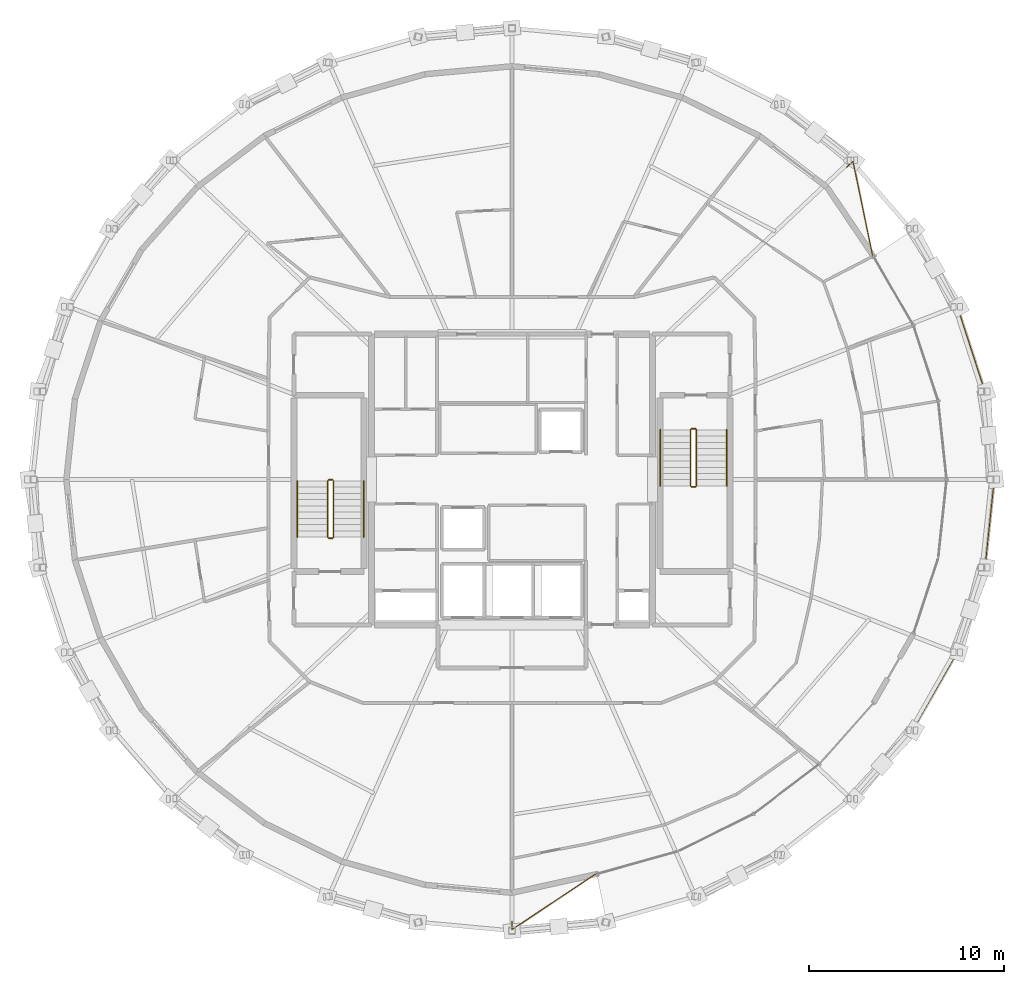
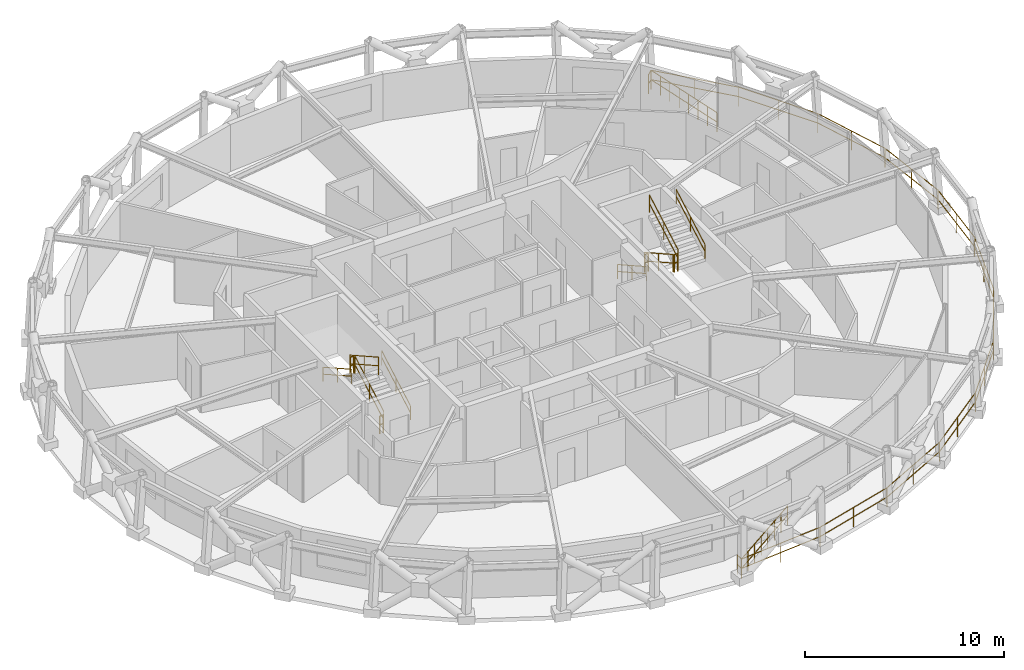
# One storey, part 17 of 17: 15 railings.
"""IFC4 building model written with IfcOpenShell, lengths in metres."""

from ifc_helpers import new_model, si_unit, direction, frame, origin, origin_2d, place, context, subcontext, project, spatial, circle, extrude, material, type_object, element, save


model = new_model("IFC4")

# Units and contexts
model_context = context("Model", 3, precision=1e-05, world=origin(), true_north=direction((0.0, 1.0)))
body_context = subcontext(model_context, "Body", "Model", "MODEL_VIEW")
ifc_project = project(units=[si_unit("LENGTHUNIT", "METRE"), si_unit("AREAUNIT", "SQUARE_METRE"), si_unit("VOLUMEUNIT", "CUBIC_METRE"), si_unit("PLANEANGLEUNIT", "RADIAN"), si_unit("MASSUNIT", "GRAM", prefix="KILO")], contexts=[model_context])

# Site, building, storey
site_placement = place(None, origin())
site = spatial("IfcSite", under=ifc_project, at=site_placement, CompositionType="ELEMENT")
building_placement = place(site_placement, origin())
building = spatial("IfcBuilding", under=site, at=building_placement, Name="Veldorina Hangang Commons", CompositionType="ELEMENT")
storey_placement = place(building_placement, frame((0.0, 0.0, 225.60009765625)))
storey = spatial("IfcBuildingStorey", under=building, at=storey_placement, Name="L58", CompositionType="ELEMENT", Elevation=225.60009765625)

# Railings
ifc_material_1 = material(Name="Glass Laminated Safety Balustrade", Category="glass")
railing_type_1 = type_object("IfcRailingType", Name="RL-BAL-LOGGIA", PredefinedType="BALUSTRADE", material=ifc_material_1)
railing_1_placement = place(storey_placement, frame((32.0, 1.357666015625, 0.0)))
element("IfcRailing", 1, at=railing_1_placement, inside=storey, type_object=railing_type_1, Name="L58 sky-garden loggia end balustrade A", PredefinedType="BALUSTRADE", context=body_context, shape_type="SweptSolid", body=[
    extrude(circle(Radius=0.02392578125, at=origin_2d()), frame((0.0, 0.0, 1.17578125), z_axis=(0.0, -1.0, 0.0), x_axis=(1.0, 0.0, 0.0)), (0.0, 0.0, 1.0), 0.420166015625),
    extrude(circle(Radius=0.02392578125, at=origin_2d()), frame((0.0, 0.0, 0.60009765625), z_axis=(0.0, -1.0, 0.0), x_axis=(1.0, 0.0, 0.0)), (0.0, 0.0, 1.0), 0.420166015625),
    extrude(circle(Radius=0.02392578125, at=origin_2d()), frame((0.0, -0.420166015625, 1.17578125), z_axis=(0.833533891157, 0.552468326958, 0.0), x_axis=(-0.552468326958, 0.833533891157, 0.0)), (0.0, 0.0, 1.0), 5.204833984375),
    extrude(circle(Radius=0.02392578125, at=origin_2d()), frame((0.0, -0.420166015625, 0.60009765625), z_axis=(0.833533891157, 0.552468326958, 0.0), x_axis=(-0.552468326958, 0.833533891157, 0.0)), (0.0, 0.0, 1.0), 5.204833984375),
    extrude(circle(Radius=0.02099609375, at=origin_2d()), origin(), (0.0, 0.0, 1.0), 1.15185546875),
    extrude(circle(Radius=0.02099609375, at=origin_2d()), frame((0.0, -0.420166015625, 0.0)), (0.0, 0.0, 1.0), 1.15185546875),
    extrude(circle(Radius=0.02099609375, at=origin_2d()), frame((0.619873046875, -0.00927734375, 0.0)), (0.0, 0.0, 1.0), 1.15185546875),
    extrude(circle(Radius=0.02099609375, at=origin_2d()), frame((1.239501953125, 0.4013671875, 0.0)), (0.0, 0.0, 1.0), 1.15185546875),
    extrude(circle(Radius=0.02099609375, at=origin_2d()), frame((1.859375, 0.812255859375, 0.0)), (0.0, 0.0, 1.0), 1.15185546875),
    extrude(circle(Radius=0.02099609375, at=origin_2d()), frame((2.47900390625, 1.222900390625, 0.0)), (0.0, 0.0, 1.0), 1.15185546875),
    extrude(circle(Radius=0.02099609375, at=origin_2d()), frame((3.098876953125, 1.6337890625, 0.0)), (0.0, 0.0, 1.0), 1.15185546875),
    extrude(circle(Radius=0.02099609375, at=origin_2d()), frame((3.718505859375, 2.04443359375, 0.0)), (0.0, 0.0, 1.0), 1.15185546875),
    extrude(circle(Radius=0.02099609375, at=origin_2d()), frame((4.33837890625, 2.455322265625, 0.0)), (0.0, 0.0, 1.0), 1.15185546875),
])
railing_2_placement = place(storey_placement, frame((49.171142578125, 40.02294921875, 0.0)))
element("IfcRailing", 2, at=railing_2_placement, inside=storey, type_object=railing_type_1, Name="L58 sky-garden loggia end balustrade B", PredefinedType="BALUSTRADE", context=body_context, shape_type="SweptSolid", body=[
    extrude(circle(Radius=0.02392578125, at=origin_2d()), frame((0.0, 0.0, 1.17578125), z_axis=(0.731093918758, 0.682276836742, 0.0), x_axis=(-0.682276836742, 0.731093918758, 0.0)), (0.0, 0.0, 1.0), 0.420166015625),
    extrude(circle(Radius=0.02392578125, at=origin_2d()), frame((0.0, 0.0, 0.60009765625), z_axis=(0.731093918758, 0.682276836742, 0.0), x_axis=(-0.682276836742, 0.731093918758, 0.0)), (0.0, 0.0, 1.0), 0.420166015625),
    extrude(circle(Radius=0.02392578125, at=origin_2d()), frame((0.30712890625, 0.28662109375, 1.17578125), z_axis=(0.203599721514, -0.979054213718, 0.0), x_axis=(0.979054213718, 0.203599721514, 0.0)), (0.0, 0.0, 1.0), 4.9775390625),
    extrude(circle(Radius=0.02392578125, at=origin_2d()), frame((0.30712890625, 0.28662109375, 0.60009765625), z_axis=(0.203599721514, -0.979054213718, 0.0), x_axis=(0.979054213718, 0.203599721514, 0.0)), (0.0, 0.0, 1.0), 4.9775390625),
    extrude(circle(Radius=0.02099609375, at=origin_2d()), origin(), (0.0, 0.0, 1.0), 1.15185546875),
    extrude(circle(Radius=0.02099609375, at=origin_2d()), frame((0.30712890625, 0.28662109375, 0.0)), (0.0, 0.0, 1.0), 1.15185546875),
    extrude(circle(Radius=0.02099609375, at=origin_2d()), frame((0.451904296875, -0.40966796875, 0.0)), (0.0, 0.0, 1.0), 1.15185546875),
    extrude(circle(Radius=0.02099609375, at=origin_2d()), frame((0.5966796875, -1.105712890625, 0.0)), (0.0, 0.0, 1.0), 1.15185546875),
    extrude(circle(Radius=0.02099609375, at=origin_2d()), frame((0.741455078125, -1.802001953125, 0.0)), (0.0, 0.0, 1.0), 1.15185546875),
    extrude(circle(Radius=0.02099609375, at=origin_2d()), frame((0.88623046875, -2.498046875, 0.0)), (0.0, 0.0, 1.0), 1.15185546875),
    extrude(circle(Radius=0.02099609375, at=origin_2d()), frame((1.031005859375, -3.1943359375, 0.0)), (0.0, 0.0, 1.0), 1.15185546875),
    extrude(circle(Radius=0.02099609375, at=origin_2d()), frame((1.17578125, -3.890380859375, 0.0)), (0.0, 0.0, 1.0), 1.15185546875),
    extrude(circle(Radius=0.02099609375, at=origin_2d()), frame((1.320556640625, -4.586669921875, 0.0)), (0.0, 0.0, 1.0), 1.15185546875),
])
railing_3_placement = place(storey_placement, frame((32.0, 0.9375, 0.0)))
element("IfcRailing", 3, at=railing_3_placement, inside=storey, type_object=railing_type_1, Name="L58 sky-garden loggia outer balustrade", PredefinedType="BALUSTRADE", context=body_context, shape_type="SweptSolid", body=[
    extrude(circle(Radius=0.02392578125, at=origin_2d()), frame((0.0, 0.0, 1.17578125), z_axis=(0.99580387112, 0.091513115245, 0.0), x_axis=(-0.091513115245, 0.99580387112, 0.0)), (0.0, 0.0, 1.0), 4.842041015625),
    extrude(circle(Radius=0.02392578125, at=origin_2d()), frame((0.0, 0.0, 0.60009765625), z_axis=(0.99580387112, 0.091513115245, 0.0), x_axis=(-0.091513115245, 0.99580387112, 0.0)), (0.0, 0.0, 1.0), 4.842041015625),
    extrude(circle(Radius=0.02392578125, at=origin_2d()), frame((4.82177734375, 0.443115234375, 1.17578125), z_axis=(0.96223009002, 0.272237495323, 0.0), x_axis=(-0.272237495323, 0.96223009002, 0.0)), (0.0, 0.0, 1.0), 4.818359375),
    extrude(circle(Radius=0.02392578125, at=origin_2d()), frame((4.82177734375, 0.443115234375, 0.60009765625), z_axis=(0.96223009002, 0.272237495323, 0.0), x_axis=(-0.272237495323, 0.96223009002, 0.0)), (0.0, 0.0, 1.0), 4.818359375),
    extrude(circle(Radius=0.02392578125, at=origin_2d()), frame((9.458251953125, 1.7548828125, 1.17578125), z_axis=(0.894968474618, 0.446129386434, 0.0), x_axis=(-0.446129386434, 0.894968474618, 0.0)), (0.0, 0.0, 1.0), 4.775146484375),
    extrude(circle(Radius=0.02392578125, at=origin_2d()), frame((9.458251953125, 1.7548828125, 0.60009765625), z_axis=(0.894968474618, 0.446129386434, 0.0), x_axis=(-0.446129386434, 0.894968474618, 0.0)), (0.0, 0.0, 1.0), 4.775146484375),
    extrude(circle(Radius=0.02392578125, at=origin_2d()), frame((13.73193359375, 3.88525390625, 1.17578125), z_axis=(0.794068385108, 0.607828429552, 0.0), x_axis=(-0.607828429552, 0.794068385108, 0.0)), (0.0, 0.0, 1.0), 4.718017578125),
    extrude(circle(Radius=0.02392578125, at=origin_2d()), frame((13.73193359375, 3.88525390625, 0.60009765625), z_axis=(0.794068385108, 0.607828429552, 0.0), x_axis=(-0.607828429552, 0.794068385108, 0.0)), (0.0, 0.0, 1.0), 4.718017578125),
    extrude(circle(Radius=0.02392578125, at=origin_2d()), frame((17.478271484375, 6.7529296875, 1.17578125), z_axis=(0.660559314172, 0.750773862399, 0.0), x_axis=(-0.750773862399, 0.660559314172, 0.0)), (0.0, 0.0, 1.0), 4.65478515625),
    extrude(circle(Radius=0.02392578125, at=origin_2d()), frame((17.478271484375, 6.7529296875, 0.60009765625), z_axis=(0.660559314172, 0.750773862399, 0.0), x_axis=(-0.750773862399, 0.660559314172, 0.0)), (0.0, 0.0, 1.0), 4.65478515625),
    extrude(circle(Radius=0.02392578125, at=origin_2d()), frame((20.552978515625, 10.24755859375, 1.17578125), z_axis=(0.497214056896, 0.867627905052, 0.0), x_axis=(-0.867627905052, 0.497214056896, 0.0)), (0.0, 0.0, 1.0), 4.595947265625),
    extrude(circle(Radius=0.02392578125, at=origin_2d()), frame((20.552978515625, 10.24755859375, 0.60009765625), z_axis=(0.497214056896, 0.867627905052, 0.0), x_axis=(-0.867627905052, 0.497214056896, 0.0)), (0.0, 0.0, 1.0), 4.595947265625),
    extrude(circle(Radius=0.02392578125, at=origin_2d()), frame((22.838134765625, 14.235107421875, 1.17578125), z_axis=(0.309265623502, 0.950975695862, 0.0), x_axis=(-0.950975695862, 0.309265623502, 0.0)), (0.0, 0.0, 1.0), 4.55029296875),
    extrude(circle(Radius=0.02392578125, at=origin_2d()), frame((22.838134765625, 14.235107421875, 0.60009765625), z_axis=(0.309265623502, 0.950975695862, 0.0), x_axis=(-0.950975695862, 0.309265623502, 0.0)), (0.0, 0.0, 1.0), 4.55029296875),
    extrude(circle(Radius=0.02392578125, at=origin_2d()), frame((24.245361328125, 18.562255859375, 1.17578125), z_axis=(0.105041441707, 0.994467845395, 0.0), x_axis=(-0.994467845395, 0.105041441707, 0.0)), (0.0, 0.0, 1.0), 4.525390625),
    extrude(circle(Radius=0.02392578125, at=origin_2d()), frame((24.245361328125, 18.562255859375, 0.60009765625), z_axis=(0.105041441707, 0.994467845395, 0.0), x_axis=(-0.994467845395, 0.105041441707, 0.0)), (0.0, 0.0, 1.0), 4.525390625),
    extrude(circle(Radius=0.02392578125, at=origin_2d()), frame((24.720703125, 23.0625, 1.17578125), z_axis=(-0.105041441707, 0.994467845395, 0.0), x_axis=(-0.994467845395, -0.105041441707, 0.0)), (0.0, 0.0, 1.0), 4.525390625),
    extrude(circle(Radius=0.02392578125, at=origin_2d()), frame((24.720703125, 23.0625, 0.60009765625), z_axis=(-0.105041441707, 0.994467845395, 0.0), x_axis=(-0.994467845395, -0.105041441707, 0.0)), (0.0, 0.0, 1.0), 4.525390625),
    extrude(circle(Radius=0.02392578125, at=origin_2d()), frame((24.245361328125, 27.562744140625, 1.17578125), z_axis=(-0.309265623502, 0.950975695862, 0.0), x_axis=(-0.950975695862, -0.309265623502, 0.0)), (0.0, 0.0, 1.0), 4.55029296875),
    extrude(circle(Radius=0.02392578125, at=origin_2d()), frame((24.245361328125, 27.562744140625, 0.60009765625), z_axis=(-0.309265623502, 0.950975695862, 0.0), x_axis=(-0.950975695862, -0.309265623502, 0.0)), (0.0, 0.0, 1.0), 4.55029296875),
    extrude(circle(Radius=0.02392578125, at=origin_2d()), frame((22.838134765625, 31.889892578125, 1.17578125), z_axis=(-0.497214056896, 0.867627905052, 0.0), x_axis=(-0.867627905052, -0.497214056896, 0.0)), (0.0, 0.0, 1.0), 4.595947265625),
    extrude(circle(Radius=0.02392578125, at=origin_2d()), frame((22.838134765625, 31.889892578125, 0.60009765625), z_axis=(-0.497214056896, 0.867627905052, 0.0), x_axis=(-0.867627905052, -0.497214056896, 0.0)), (0.0, 0.0, 1.0), 4.595947265625),
    extrude(circle(Radius=0.02392578125, at=origin_2d()), frame((20.552978515625, 35.87744140625, 1.17578125), z_axis=(-0.660559314172, 0.750773862399, 0.0), x_axis=(-0.750773862399, -0.660559314172, 0.0)), (0.0, 0.0, 1.0), 4.65478515625),
    extrude(circle(Radius=0.02392578125, at=origin_2d()), frame((20.552978515625, 35.87744140625, 0.60009765625), z_axis=(-0.660559314172, 0.750773862399, 0.0), x_axis=(-0.750773862399, -0.660559314172, 0.0)), (0.0, 0.0, 1.0), 4.65478515625),
    extrude(circle(Radius=0.02099609375, at=origin_2d()), origin(), (0.0, 0.0, 1.0), 1.15185546875),
    extrude(circle(Radius=0.02099609375, at=origin_2d()), frame((2.410888671875, 0.2216796875, 0.0)), (0.0, 0.0, 1.0), 1.15185546875),
    extrude(circle(Radius=0.02099609375, at=origin_2d()), frame((4.82177734375, 0.443115234375, 0.0)), (0.0, 0.0, 1.0), 1.15185546875),
    extrude(circle(Radius=0.02099609375, at=origin_2d()), frame((7.14013671875, 1.09912109375, 0.0)), (0.0, 0.0, 1.0), 1.15185546875),
    extrude(circle(Radius=0.02099609375, at=origin_2d()), frame((9.458251953125, 1.7548828125, 0.0)), (0.0, 0.0, 1.0), 1.15185546875),
    extrude(circle(Radius=0.02099609375, at=origin_2d()), frame((11.59521484375, 2.820068359375, 0.0)), (0.0, 0.0, 1.0), 1.15185546875),
    extrude(circle(Radius=0.02099609375, at=origin_2d()), frame((13.73193359375, 3.88525390625, 0.0)), (0.0, 0.0, 1.0), 1.15185546875),
    extrude(circle(Radius=0.02099609375, at=origin_2d()), frame((15.60498046875, 5.319091796875, 0.0)), (0.0, 0.0, 1.0), 1.15185546875),
    extrude(circle(Radius=0.02099609375, at=origin_2d()), frame((17.478271484375, 6.7529296875, 0.0)), (0.0, 0.0, 1.0), 1.15185546875),
    extrude(circle(Radius=0.02099609375, at=origin_2d()), frame((19.015625, 8.500244140625, 0.0)), (0.0, 0.0, 1.0), 1.15185546875),
    extrude(circle(Radius=0.02099609375, at=origin_2d()), frame((20.552978515625, 10.24755859375, 0.0)), (0.0, 0.0, 1.0), 1.15185546875),
    extrude(circle(Radius=0.02099609375, at=origin_2d()), frame((21.695556640625, 12.2412109375, 0.0)), (0.0, 0.0, 1.0), 1.15185546875),
    extrude(circle(Radius=0.02099609375, at=origin_2d()), frame((22.838134765625, 14.235107421875, 0.0)), (0.0, 0.0, 1.0), 1.15185546875),
    extrude(circle(Radius=0.02099609375, at=origin_2d()), frame((23.541748046875, 16.398681640625, 0.0)), (0.0, 0.0, 1.0), 1.15185546875),
    extrude(circle(Radius=0.02099609375, at=origin_2d()), frame((24.245361328125, 18.562255859375, 0.0)), (0.0, 0.0, 1.0), 1.15185546875),
    extrude(circle(Radius=0.02099609375, at=origin_2d()), frame((24.48291015625, 20.8125, 0.0)), (0.0, 0.0, 1.0), 1.15185546875),
    extrude(circle(Radius=0.02099609375, at=origin_2d()), frame((24.720703125, 23.0625, 0.0)), (0.0, 0.0, 1.0), 1.15185546875),
    extrude(circle(Radius=0.02099609375, at=origin_2d()), frame((24.48291015625, 25.3125, 0.0)), (0.0, 0.0, 1.0), 1.15185546875),
    extrude(circle(Radius=0.02099609375, at=origin_2d()), frame((24.245361328125, 27.562744140625, 0.0)), (0.0, 0.0, 1.0), 1.15185546875),
    extrude(circle(Radius=0.02099609375, at=origin_2d()), frame((23.541748046875, 29.726318359375, 0.0)), (0.0, 0.0, 1.0), 1.15185546875),
    extrude(circle(Radius=0.02099609375, at=origin_2d()), frame((22.838134765625, 31.889892578125, 0.0)), (0.0, 0.0, 1.0), 1.15185546875),
    extrude(circle(Radius=0.02099609375, at=origin_2d()), frame((21.695556640625, 33.8837890625, 0.0)), (0.0, 0.0, 1.0), 1.15185546875),
    extrude(circle(Radius=0.02099609375, at=origin_2d()), frame((20.552978515625, 35.87744140625, 0.0)), (0.0, 0.0, 1.0), 1.15185546875),
    extrude(circle(Radius=0.02099609375, at=origin_2d()), frame((19.015625, 37.624755859375, 0.0)), (0.0, 0.0, 1.0), 1.15185546875),
    extrude(circle(Radius=0.02099609375, at=origin_2d()), frame((17.478271484375, 39.3720703125, 0.0)), (0.0, 0.0, 1.0), 1.15185546875),
])
ifc_material_2 = material(Name="Steel Painted Balustrade", Category="steel")
railing_type_2 = type_object("IfcRailingType", Name="RL-GRD-STAIR", PredefinedType="GUARDRAIL", material=ifc_material_2)
railing_4_placement = place(storey_placement, frame((22.85009765625, 21.050048828125, 0.179931640625)))
element("IfcRailing", 4, at=railing_4_placement, inside=storey, type_object=railing_type_2, Name="L58 ST-1 stair guard 1", PredefinedType="GUARDRAIL", context=body_context, shape_type="SweptSolid", body=[
    extrude(circle(Radius=0.02392578125, at=origin_2d()), frame((0.0, 0.0, 1.076171875), z_axis=(0.0, 0.871583430097, 0.490247207417), x_axis=(-1.0, 0.0, 0.0)), (0.0, 0.0, 1.0), 3.30419921875),
    extrude(circle(Radius=0.02392578125, at=origin_2d()), frame((0.0, 0.0, 0.550048828125), z_axis=(0.0, 0.871583430097, 0.490247207417), x_axis=(-1.0, 0.0, 0.0)), (0.0, 0.0, 1.0), 3.30419921875),
    extrude(circle(Radius=0.02099609375, at=origin_2d()), origin(), (0.0, 0.0, 1.0), 1.052001953125),
    extrude(circle(Radius=0.02099609375, at=origin_2d()), frame((0.0, 1.43994140625, 0.81005859375)), (0.0, 0.0, 1.0), 1.052001953125),
    extrude(circle(Radius=0.02099609375, at=origin_2d()), frame((0.0, 2.8798828125, 1.619873046875)), (0.0, 0.0, 1.0), 1.052001953125),
])
railing_5_placement = place(storey_placement, frame((22.800048828125, 23.97998046875, 1.7998046875)))
element("IfcRailing", 5, at=railing_5_placement, inside=storey, type_object=railing_type_2, Name="L58 ST-1 stair guard 2", PredefinedType="GUARDRAIL", context=body_context, shape_type="SweptSolid", body=[
    extrude(circle(Radius=0.02392578125, at=origin_2d()), frame((0.0, 0.0, 1.076171875), z_axis=(-1.0, 0.0, 0.0), x_axis=(0.0, -1.0, 0.0)), (0.0, 0.0, 1.0), 0.199951171875),
    extrude(circle(Radius=0.02392578125, at=origin_2d()), frame((0.0, 0.0, 0.550048828125), z_axis=(-1.0, 0.0, 0.0), x_axis=(0.0, -1.0, 0.0)), (0.0, 0.0, 1.0), 0.199951171875),
    extrude(circle(Radius=0.02099609375, at=origin_2d()), origin(), (0.0, 0.0, 1.0), 1.052001953125),
    extrude(circle(Radius=0.02099609375, at=origin_2d()), frame((-0.199951171875, 0.0, 0.0)), (0.0, 0.0, 1.0), 1.052001953125),
])
railing_6_placement = place(storey_placement, frame((22.550048828125, 23.929931640625, 1.97998046875)))
element("IfcRailing", 6, at=railing_6_placement, inside=storey, type_object=railing_type_2, Name="L58 ST-1 stair guard 3", PredefinedType="GUARDRAIL", context=body_context, shape_type="SweptSolid", body=[
    extrude(circle(Radius=0.02392578125, at=origin_2d()), frame((0.0, 0.0, 1.076171875), z_axis=(0.0, -0.871583430097, 0.490247207417), x_axis=(1.0, 0.0, 0.0)), (0.0, 0.0, 1.0), 3.30419921875),
    extrude(circle(Radius=0.02392578125, at=origin_2d()), frame((0.0, 0.0, 0.550048828125), z_axis=(0.0, -0.871583430097, 0.490247207417), x_axis=(1.0, 0.0, 0.0)), (0.0, 0.0, 1.0), 3.30419921875),
    extrude(circle(Radius=0.02099609375, at=origin_2d()), origin(), (0.0, 0.0, 1.0), 1.052001953125),
    extrude(circle(Radius=0.02099609375, at=origin_2d()), frame((0.0, -1.43994140625, 0.81005859375)), (0.0, 0.0, 1.0), 1.052001953125),
    extrude(circle(Radius=0.02099609375, at=origin_2d()), frame((0.0, -2.8798828125, 1.619873046875)), (0.0, 0.0, 1.0), 1.052001953125),
])
railing_7_placement = place(storey_placement, frame((22.800048828125, 21.0, 0.0)))
element("IfcRailing", 7, at=railing_7_placement, inside=storey, type_object=railing_type_2, Name="L58 ST-1 stair guard 4", PredefinedType="GUARDRAIL", context=body_context, shape_type="SweptSolid", body=[
    extrude(circle(Radius=0.02392578125, at=origin_2d()), frame((0.0, 0.0, 1.076171875), z_axis=(-1.0, 0.0, 0.0), x_axis=(0.0, -1.0, 0.0)), (0.0, 0.0, 1.0), 0.199951171875),
    extrude(circle(Radius=0.02392578125, at=origin_2d()), frame((0.0, 0.0, 0.550048828125), z_axis=(-1.0, 0.0, 0.0), x_axis=(0.0, -1.0, 0.0)), (0.0, 0.0, 1.0), 0.199951171875),
    extrude(circle(Radius=0.02099609375, at=origin_2d()), origin(), (0.0, 0.0, 1.0), 1.052001953125),
    extrude(circle(Radius=0.02099609375, at=origin_2d()), frame((-0.199951171875, 0.0, 0.0)), (0.0, 0.0, 1.0), 1.052001953125),
])
railing_8_placement = place(storey_placement, frame((41.14990234375, 26.550048828125, 0.179931640625)))
element("IfcRailing", 8, at=railing_8_placement, inside=storey, type_object=railing_type_2, Name="L58 ST-2 stair guard 1", PredefinedType="GUARDRAIL", context=body_context, shape_type="SweptSolid", body=[
    extrude(circle(Radius=0.02392578125, at=origin_2d()), frame((0.0, 0.0, 1.076171875), z_axis=(0.0, -0.871601186807, 0.490215637405), x_axis=(1.0, 0.0, 0.0)), (0.0, 0.0, 1.0), 3.304443359375),
    extrude(circle(Radius=0.02392578125, at=origin_2d()), frame((0.0, 0.0, 0.550048828125), z_axis=(0.0, -0.871601186807, 0.490215637405), x_axis=(1.0, 0.0, 0.0)), (0.0, 0.0, 1.0), 3.304443359375),
    extrude(circle(Radius=0.02099609375, at=origin_2d()), origin(), (0.0, 0.0, 1.0), 1.052001953125),
    extrude(circle(Radius=0.02099609375, at=origin_2d()), frame((0.0, -1.43994140625, 0.81005859375)), (0.0, 0.0, 1.0), 1.052001953125),
    extrude(circle(Radius=0.02099609375, at=origin_2d()), frame((0.0, -2.880126953125, 1.619873046875)), (0.0, 0.0, 1.0), 1.052001953125),
])
railing_9_placement = place(storey_placement, frame((41.199951171875, 23.6201171875, 1.7998046875)))
element("IfcRailing", 9, at=railing_9_placement, inside=storey, type_object=railing_type_2, Name="L58 ST-2 stair guard 2", PredefinedType="GUARDRAIL", context=body_context, shape_type="SweptSolid", body=[
    extrude(circle(Radius=0.02392578125, at=origin_2d()), frame((0.0, 0.0, 1.076171875), z_axis=(1.0, 0.0, 0.0), x_axis=(0.0, 1.0, 0.0)), (0.0, 0.0, 1.0), 0.199951171875),
    extrude(circle(Radius=0.02392578125, at=origin_2d()), frame((0.0, 0.0, 0.550048828125), z_axis=(1.0, 0.0, 0.0), x_axis=(0.0, 1.0, 0.0)), (0.0, 0.0, 1.0), 0.199951171875),
    extrude(circle(Radius=0.02099609375, at=origin_2d()), origin(), (0.0, 0.0, 1.0), 1.052001953125),
    extrude(circle(Radius=0.02099609375, at=origin_2d()), frame((0.199951171875, 0.0, 0.0)), (0.0, 0.0, 1.0), 1.052001953125),
])
railing_10_placement = place(storey_placement, frame((41.449951171875, 23.669921875, 1.97998046875)))
element("IfcRailing", 10, at=railing_10_placement, inside=storey, type_object=railing_type_2, Name="L58 ST-2 stair guard 3", PredefinedType="GUARDRAIL", context=body_context, shape_type="SweptSolid", body=[
    extrude(circle(Radius=0.02392578125, at=origin_2d()), frame((0.0, 0.0, 1.076171875), z_axis=(0.0, 0.871601186807, 0.490215637405), x_axis=(-1.0, 0.0, 0.0)), (0.0, 0.0, 1.0), 3.304443359375),
    extrude(circle(Radius=0.02392578125, at=origin_2d()), frame((0.0, 0.0, 0.550048828125), z_axis=(0.0, 0.871601186807, 0.490215637405), x_axis=(-1.0, 0.0, 0.0)), (0.0, 0.0, 1.0), 3.304443359375),
    extrude(circle(Radius=0.02099609375, at=origin_2d()), origin(), (0.0, 0.0, 1.0), 1.052001953125),
    extrude(circle(Radius=0.02099609375, at=origin_2d()), frame((0.0, 1.43994140625, 0.81005859375)), (0.0, 0.0, 1.0), 1.052001953125),
    extrude(circle(Radius=0.02099609375, at=origin_2d()), frame((0.0, 2.880126953125, 1.619873046875)), (0.0, 0.0, 1.0), 1.052001953125),
])
railing_11_placement = place(storey_placement, frame((41.199951171875, 26.60009765625, 0.0)))
element("IfcRailing", 11, at=railing_11_placement, inside=storey, type_object=railing_type_2, Name="L58 ST-2 stair guard 4", PredefinedType="GUARDRAIL", context=body_context, shape_type="SweptSolid", body=[
    extrude(circle(Radius=0.02392578125, at=origin_2d()), frame((0.0, 0.0, 1.076171875), z_axis=(1.0, 0.0, 0.0), x_axis=(0.0, 1.0, 0.0)), (0.0, 0.0, 1.0), 0.199951171875),
    extrude(circle(Radius=0.02392578125, at=origin_2d()), frame((0.0, 0.0, 0.550048828125), z_axis=(1.0, 0.0, 0.0), x_axis=(0.0, 1.0, 0.0)), (0.0, 0.0, 1.0), 0.199951171875),
    extrude(circle(Radius=0.02099609375, at=origin_2d()), origin(), (0.0, 0.0, 1.0), 1.052001953125),
    extrude(circle(Radius=0.02099609375, at=origin_2d()), frame((0.199951171875, 0.0, 0.0)), (0.0, 0.0, 1.0), 1.052001953125),
])
ifc_material_3 = material(Name="Stainless Steel Brushed 316", Category="steel")
railing_type_3 = type_object("IfcRailingType", Name="RL-HND-STAIR", PredefinedType="HANDRAIL", material=ifc_material_3)
railing_12_placement = place(storey_placement, frame((24.39990234375, 21.050048828125, 0.179931640625)))
element("IfcRailing", 12, at=railing_12_placement, inside=storey, type_object=railing_type_3, Name="L58 ST-1 stair handrail 1", PredefinedType="HANDRAIL", context=body_context, shape_type="SweptSolid", body=[
    extrude(circle(Radius=0.02392578125, at=origin_2d()), frame((0.0, 0.0, 0.8759765625), z_axis=(0.0, 0.871583430097, 0.490247207417), x_axis=(-1.0, 0.0, 0.0)), (0.0, 0.0, 1.0), 3.30419921875),
    extrude(circle(Radius=0.02392578125, at=origin_2d()), frame((0.0, 0.0, 0.449951171875), z_axis=(0.0, 0.871583430097, 0.490247207417), x_axis=(-1.0, 0.0, 0.0)), (0.0, 0.0, 1.0), 3.30419921875),
    extrude(circle(Radius=0.02099609375, at=origin_2d()), origin(), (0.0, 0.0, 1.0), 0.851806640625),
    extrude(circle(Radius=0.02099609375, at=origin_2d()), frame((0.0, 1.43994140625, 0.81005859375)), (0.0, 0.0, 1.0), 0.851806640625),
    extrude(circle(Radius=0.02099609375, at=origin_2d()), frame((0.0, 2.8798828125, 1.619873046875)), (0.0, 0.0, 1.0), 0.851806640625),
])
railing_13_placement = place(storey_placement, frame((21.0, 23.929931640625, 1.97998046875)))
element("IfcRailing", 13, at=railing_13_placement, inside=storey, type_object=railing_type_3, Name="L58 ST-1 stair handrail 2", PredefinedType="HANDRAIL", context=body_context, shape_type="SweptSolid", body=[
    extrude(circle(Radius=0.02392578125, at=origin_2d()), frame((0.0, 0.0, 0.8759765625), z_axis=(0.0, -0.871583430097, 0.490247207417), x_axis=(1.0, 0.0, 0.0)), (0.0, 0.0, 1.0), 3.30419921875),
    extrude(circle(Radius=0.02392578125, at=origin_2d()), frame((0.0, 0.0, 0.449951171875), z_axis=(0.0, -0.871583430097, 0.490247207417), x_axis=(1.0, 0.0, 0.0)), (0.0, 0.0, 1.0), 3.30419921875),
    extrude(circle(Radius=0.02099609375, at=origin_2d()), origin(), (0.0, 0.0, 1.0), 0.851806640625),
    extrude(circle(Radius=0.02099609375, at=origin_2d()), frame((0.0, -1.43994140625, 0.81005859375)), (0.0, 0.0, 1.0), 0.851806640625),
    extrude(circle(Radius=0.02099609375, at=origin_2d()), frame((0.0, -2.8798828125, 1.619873046875)), (0.0, 0.0, 1.0), 0.851806640625),
])
railing_14_placement = place(storey_placement, frame((39.60009765625, 26.550048828125, 0.179931640625)))
element("IfcRailing", 14, at=railing_14_placement, inside=storey, type_object=railing_type_3, Name="L58 ST-2 stair handrail 1", PredefinedType="HANDRAIL", context=body_context, shape_type="SweptSolid", body=[
    extrude(circle(Radius=0.02392578125, at=origin_2d()), frame((0.0, 0.0, 0.8759765625), z_axis=(0.0, -0.871601186807, 0.490215637405), x_axis=(1.0, 0.0, 0.0)), (0.0, 0.0, 1.0), 3.304443359375),
    extrude(circle(Radius=0.02392578125, at=origin_2d()), frame((0.0, 0.0, 0.449951171875), z_axis=(0.0, -0.871601186807, 0.490215637405), x_axis=(1.0, 0.0, 0.0)), (0.0, 0.0, 1.0), 3.304443359375),
    extrude(circle(Radius=0.02099609375, at=origin_2d()), origin(), (0.0, 0.0, 1.0), 0.851806640625),
    extrude(circle(Radius=0.02099609375, at=origin_2d()), frame((0.0, -1.43994140625, 0.81005859375)), (0.0, 0.0, 1.0), 0.851806640625),
    extrude(circle(Radius=0.02099609375, at=origin_2d()), frame((0.0, -2.880126953125, 1.619873046875)), (0.0, 0.0, 1.0), 0.851806640625),
])
railing_15_placement = place(storey_placement, frame((43.0, 23.669921875, 1.97998046875)))
element("IfcRailing", 15, at=railing_15_placement, inside=storey, type_object=railing_type_3, Name="L58 ST-2 stair handrail 2", PredefinedType="HANDRAIL", context=body_context, shape_type="SweptSolid", body=[
    extrude(circle(Radius=0.02392578125, at=origin_2d()), frame((0.0, 0.0, 0.8759765625), z_axis=(0.0, 0.871601186807, 0.490215637405), x_axis=(-1.0, 0.0, 0.0)), (0.0, 0.0, 1.0), 3.304443359375),
    extrude(circle(Radius=0.02392578125, at=origin_2d()), frame((0.0, 0.0, 0.449951171875), z_axis=(0.0, 0.871601186807, 0.490215637405), x_axis=(-1.0, 0.0, 0.0)), (0.0, 0.0, 1.0), 3.304443359375),
    extrude(circle(Radius=0.02099609375, at=origin_2d()), origin(), (0.0, 0.0, 1.0), 0.851806640625),
    extrude(circle(Radius=0.02099609375, at=origin_2d()), frame((0.0, 1.43994140625, 0.81005859375)), (0.0, 0.0, 1.0), 0.851806640625),
    extrude(circle(Radius=0.02099609375, at=origin_2d()), frame((0.0, 2.880126953125, 1.619873046875)), (0.0, 0.0, 1.0), 0.851806640625),
])

save(model, "model.ifc")
